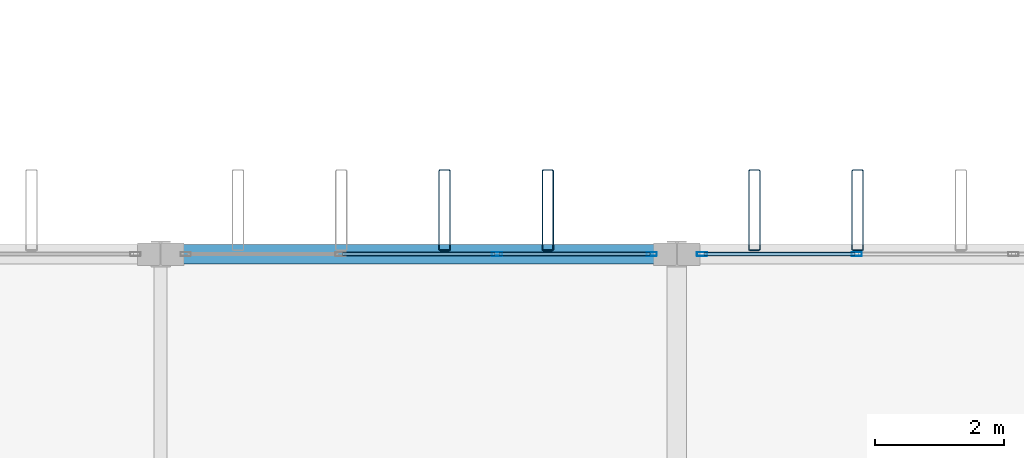
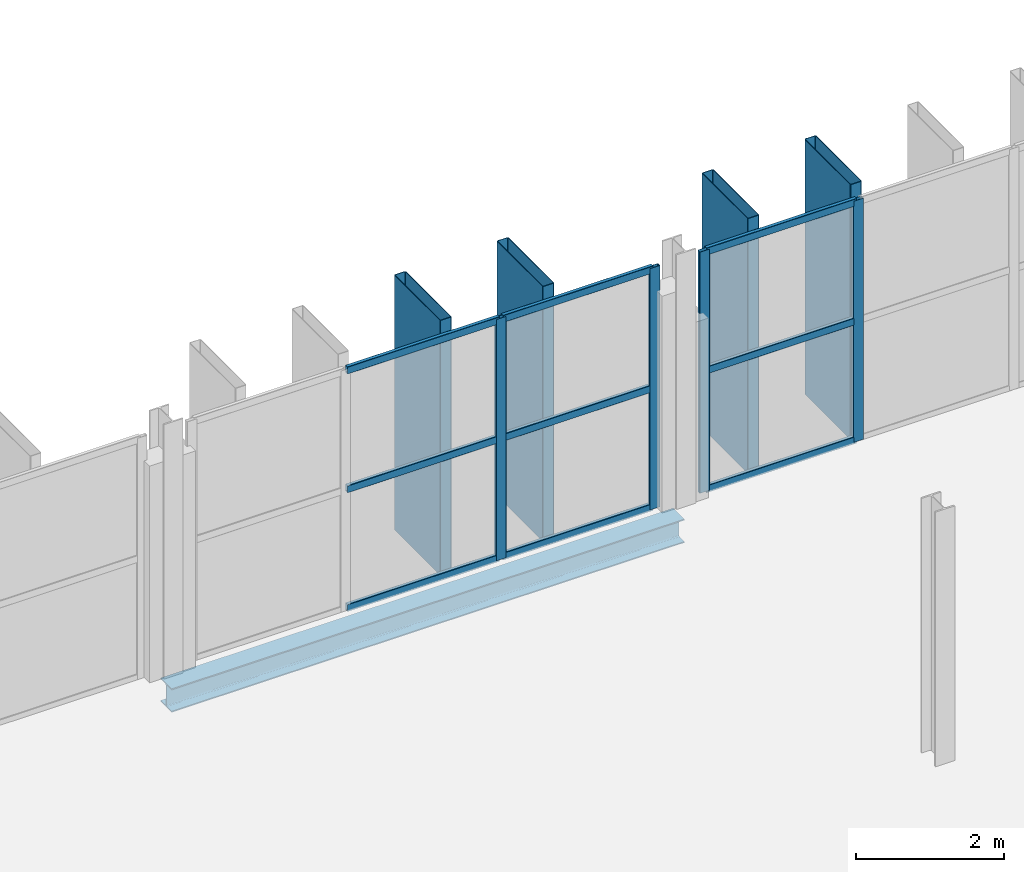
# One storey, part 48 of 101: 17 members, 1 beam, 2 elements without a shape of their own.
"""IFC4 building model written with IfcOpenShell, lengths in metres."""

from ifc_helpers import new_model, si_unit, direction, frame, origin, origin_2d, place, context, subcontext, project, spatial, hollow_rectangle, i_section, extrude, material, layer, layer_set, material_profile, profile_set, type_object, element, aggregate, save


model = new_model("IFC4")

# Units and contexts
model_context = context("Model", 3, precision=1e-05, world=origin(), true_north=direction((0.0, 1.0)))
body_context = subcontext(model_context, "Body", "Model", "MODEL_VIEW")
ifc_project = project(units=[si_unit("LENGTHUNIT", "METRE"), si_unit("AREAUNIT", "SQUARE_METRE"), si_unit("VOLUMEUNIT", "CUBIC_METRE"), si_unit("PLANEANGLEUNIT", "RADIAN"), si_unit("MASSUNIT", "GRAM", prefix="KILO")], contexts=[model_context])

# Site, building, storey
site_placement = place(None, origin())
site = spatial("IfcSite", under=ifc_project, at=site_placement, CompositionType="ELEMENT")
building_placement = place(site_placement, origin())
building = spatial("IfcBuilding", under=site, at=building_placement, Name="Vekula Escarpment Museum", CompositionType="ELEMENT")
storey_placement = place(building_placement, frame((0.0, 0.0, 18.0)))
storey = spatial("IfcBuildingStorey", under=building, at=storey_placement, Name="L04", CompositionType="ELEMENT", Elevation=18.0)

# Beam
ifc_material_1 = material(Name="Steel S355", Category="steel")
ifc_material_profile_1 = material_profile(ifc_material_1, i_section(OverallWidth=0.300048828125, OverallDepth=0.389892578125, WebThickness=0.010986328125, FlangeThickness=0.01904296875, FilletRadius=0.027099609375, at=origin_2d()), Name="HEA 400")
ifc_profile_set_1 = profile_set([ifc_material_profile_1], Name="Steel S355")
beam_type = type_object("IfcBeamType", Name="BM-SPAN-HEA400", PredefinedType="SPANDREL", material=ifc_profile_set_1)
beam_placement = place(storey_placement, frame((102.0, 90.39990234375, -0.43505859375), z_axis=(1.0, 0.0, 0.0), x_axis=(0.0, 1.0, 0.0)))
element("IfcBeam", 1, at=beam_placement, inside=storey, type_object=beam_type, Name="Beam X L04 1786", PredefinedType="SPANDREL", context=body_context, shape_type="SweptSolid", body=[
    extrude(i_section(OverallWidth=0.300048828125, OverallDepth=0.389892578125, WebThickness=0.010986328125, FlangeThickness=0.01904296875, FilletRadius=0.027099609375, at=origin_2d()), origin(), (0.0, 0.0, 1.0), 8.0),
])

# Curtain wall, members
ifc_material_2 = material(Name="Aluminium thermally broken framing", Category="aluminium")
ifc_layer_1 = layer(ifc_material_2, 0.159912109375)
ifc_layer_set_1 = layer_set([ifc_layer_1], Name="Aluminium thermally broken framing")
curtain_wall_type_1 = type_object("IfcCurtainWallType", Name="CW-SYS-05", PredefinedType="NOTDEFINED", material=ifc_layer_set_1)
curtain_wall_1_placement = place(storey_placement, origin())
curtain_wall_1 = element("IfcCurtainWall", 2, at=curtain_wall_1_placement, inside=storey, type_object=curtain_wall_type_1, Name="Curtain Wall CW-L04-155", PredefinedType="NOTDEFINED")
ifc_material_3 = material(Name="Aluminium anodized mullion", Category="aluminium")
ifc_material_profile_2 = material_profile(ifc_material_3, hollow_rectangle(XDim=0.06005859375, YDim=0.159912109375, WallThickness=0.00390625, InnerFilletRadius=0.00390625, OuterFilletRadius=0.008056640625, at=origin_2d()), Name="ALU 160x60x4")
ifc_profile_set_2 = profile_set([ifc_material_profile_2], Name="Aluminium anodized mullion")
member_type_1 = type_object("IfcMemberType", Name="CW-MUL-160", PredefinedType="MULLION", material=ifc_profile_set_2)
member_1_placement = place(storey_placement, frame((112.78662109375, 90.39990234375, 0.0), z_axis=(0.0, 0.0, 1.0), x_axis=(0.0, -1.0, 0.0)))
member_1 = element("IfcMember", 3, at=member_1_placement, type_object=member_type_1, Name="CW-05 mullion 3", PredefinedType="MULLION", context=body_context, shape_type="SweptSolid", body=[
    extrude(hollow_rectangle(XDim=0.06005859375, YDim=0.159912109375, WallThickness=0.00390625, InnerFilletRadius=0.00390625, OuterFilletRadius=0.008056640625, at=origin_2d()), origin(), (0.0, 0.0, 1.0), 3.97998046875),
])
member_2_placement = place(storey_placement, frame((110.389892578125, 90.39990234375, 0.0), z_axis=(0.0, 0.0, 1.0), x_axis=(0.0, -1.0, 0.0)))
member_2 = element("IfcMember", 4, at=member_2_placement, type_object=member_type_1, Name="CW-05 mullion 4", PredefinedType="MULLION", context=body_context, shape_type="SweptSolid", body=[
    extrude(hollow_rectangle(XDim=0.06005859375, YDim=0.159912109375, WallThickness=0.00390625, InnerFilletRadius=0.00390625, OuterFilletRadius=0.008056640625, at=origin_2d()), origin(), (0.0, 0.0, 1.0), 3.97998046875),
])

ifc_material_4 = material(Name="Aluminium thermally broken framing", Category="aluminium")
ifc_layer_2 = layer(ifc_material_4, 0.139892578125)
ifc_layer_set_2 = layer_set([ifc_layer_2], Name="Aluminium thermally broken framing")
curtain_wall_type_2 = type_object("IfcCurtainWallType", Name="CW-SYS-06", PredefinedType="NOTDEFINED", material=ifc_layer_set_2)
curtain_wall_2_placement = place(storey_placement, origin())
curtain_wall_2 = element("IfcCurtainWall", 5, at=curtain_wall_2_placement, inside=storey, type_object=curtain_wall_type_2, Name="Curtain Wall CW-L04-156", PredefinedType="NOTDEFINED")
member_3_placement = place(storey_placement, frame((109.610107421875, 90.39990234375, 0.0), z_axis=(0.0, 0.0, 1.0), x_axis=(0.0, -1.0, 0.0)))
member_3 = element("IfcMember", 6, at=member_3_placement, type_object=member_type_1, Name="CW-06 mullion 1", PredefinedType="MULLION", context=body_context, shape_type="SweptSolid", body=[
    extrude(hollow_rectangle(XDim=0.06005859375, YDim=0.159912109375, WallThickness=0.00390625, InnerFilletRadius=0.00390625, OuterFilletRadius=0.008056640625, at=origin_2d()), origin(), (0.0, 0.0, 1.0), 3.97998046875),
])
member_4_placement = place(storey_placement, frame((107.21337890625, 90.39990234375, 0.0), z_axis=(0.0, 0.0, 1.0), x_axis=(0.0, -1.0, 0.0)))
member_4 = element("IfcMember", 7, at=member_4_placement, type_object=member_type_1, Name="CW-06 mullion 2", PredefinedType="MULLION", context=body_context, shape_type="SweptSolid", body=[
    extrude(hollow_rectangle(XDim=0.06005859375, YDim=0.159912109375, WallThickness=0.00390625, InnerFilletRadius=0.00390625, OuterFilletRadius=0.008056640625, at=origin_2d()), origin(), (0.0, 0.0, 1.0), 3.97998046875),
])

# Member
ifc_material_5 = material(Name="Aluminium anodized transom", Category="aluminium")
ifc_material_profile_3 = material_profile(ifc_material_5, hollow_rectangle(XDim=0.06005859375, YDim=0.1201171875, WallThickness=0.00390625, InnerFilletRadius=0.00390625, OuterFilletRadius=0.008056640625, at=origin_2d()), Name="ALU 120x60x4")
ifc_profile_set_3 = profile_set([ifc_material_profile_3], Name="Aluminium anodized transom")
member_type_2 = type_object("IfcMemberType", Name="CW-TRN-120", PredefinedType="USERDEFINED", material=ifc_profile_set_3)
member_5_placement = place(storey_placement, frame((112.756591796875, 90.39990234375, 0.030029296875), z_axis=(-1.0, 0.0, 0.0), x_axis=(0.0, -1.0, 0.0)))
member_5 = element("IfcMember", 8, at=member_5_placement, type_object=member_type_2, Name="CW-05 transom 3.1", ObjectType="TRANSOM", PredefinedType="USERDEFINED", context=body_context, shape_type="SweptSolid", body=[
    extrude(hollow_rectangle(XDim=0.06005859375, YDim=0.1201171875, WallThickness=0.00390625, InnerFilletRadius=0.00390625, OuterFilletRadius=0.008056640625, at=origin_2d()), origin(), (0.0, 0.0, 1.0), 2.336669921875),
])

member_6_placement = place(storey_placement, frame((112.756591796875, 90.39990234375, 1.989990234375), z_axis=(-1.0, 0.0, 0.0), x_axis=(0.0, -1.0, 0.0)))
member_6 = element("IfcMember", 9, at=member_6_placement, type_object=member_type_2, Name="CW-05 transom 3.2", ObjectType="TRANSOM", PredefinedType="USERDEFINED", context=body_context, shape_type="SweptSolid", body=[
    extrude(hollow_rectangle(XDim=0.06005859375, YDim=0.1201171875, WallThickness=0.00390625, InnerFilletRadius=0.00390625, OuterFilletRadius=0.008056640625, at=origin_2d()), origin(), (0.0, 0.0, 1.0), 2.336669921875),
])

member_7_placement = place(storey_placement, frame((112.756591796875, 90.39990234375, 3.949951171875), z_axis=(-1.0, 0.0, 0.0), x_axis=(0.0, -1.0, 0.0)))
member_7 = element("IfcMember", 10, at=member_7_placement, type_object=member_type_2, Name="CW-05 transom 3.3", ObjectType="TRANSOM", PredefinedType="USERDEFINED", context=body_context, shape_type="SweptSolid", body=[
    extrude(hollow_rectangle(XDim=0.06005859375, YDim=0.1201171875, WallThickness=0.00390625, InnerFilletRadius=0.00390625, OuterFilletRadius=0.008056640625, at=origin_2d()), origin(), (0.0, 0.0, 1.0), 2.336669921875),
])

aggregate(curtain_wall_1, [member_1, member_2, member_5, member_6, member_7])

member_8_placement = place(storey_placement, frame((109.580078125, 90.39990234375, 0.030029296875), z_axis=(-1.0, 0.0, 0.0), x_axis=(0.0, -1.0, 0.0)))
member_8 = element("IfcMember", 11, at=member_8_placement, type_object=member_type_2, Name="CW-06 transom 1.1", ObjectType="TRANSOM", PredefinedType="USERDEFINED", context=body_context, shape_type="SweptSolid", body=[
    extrude(hollow_rectangle(XDim=0.06005859375, YDim=0.1201171875, WallThickness=0.00390625, InnerFilletRadius=0.00390625, OuterFilletRadius=0.008056640625, at=origin_2d()), origin(), (0.0, 0.0, 1.0), 2.336669921875),
])

member_9_placement = place(storey_placement, frame((109.580078125, 90.39990234375, 1.989990234375), z_axis=(-1.0, 0.0, 0.0), x_axis=(0.0, -1.0, 0.0)))
member_9 = element("IfcMember", 12, at=member_9_placement, type_object=member_type_2, Name="CW-06 transom 1.2", ObjectType="TRANSOM", PredefinedType="USERDEFINED", context=body_context, shape_type="SweptSolid", body=[
    extrude(hollow_rectangle(XDim=0.06005859375, YDim=0.1201171875, WallThickness=0.00390625, InnerFilletRadius=0.00390625, OuterFilletRadius=0.008056640625, at=origin_2d()), origin(), (0.0, 0.0, 1.0), 2.336669921875),
])

member_10_placement = place(storey_placement, frame((109.580078125, 90.39990234375, 3.949951171875), z_axis=(-1.0, 0.0, 0.0), x_axis=(0.0, -1.0, 0.0)))
member_10 = element("IfcMember", 13, at=member_10_placement, type_object=member_type_2, Name="CW-06 transom 1.3", ObjectType="TRANSOM", PredefinedType="USERDEFINED", context=body_context, shape_type="SweptSolid", body=[
    extrude(hollow_rectangle(XDim=0.06005859375, YDim=0.1201171875, WallThickness=0.00390625, InnerFilletRadius=0.00390625, OuterFilletRadius=0.008056640625, at=origin_2d()), origin(), (0.0, 0.0, 1.0), 2.336669921875),
])

member_11_placement = place(storey_placement, frame((107.183349609375, 90.39990234375, 0.030029296875), z_axis=(-1.0, 0.0, 0.0), x_axis=(0.0, -1.0, 0.0)))
member_11 = element("IfcMember", 14, at=member_11_placement, type_object=member_type_2, Name="CW-06 transom 2.1", ObjectType="TRANSOM", PredefinedType="USERDEFINED", context=body_context, shape_type="SweptSolid", body=[
    extrude(hollow_rectangle(XDim=0.06005859375, YDim=0.1201171875, WallThickness=0.00390625, InnerFilletRadius=0.00390625, OuterFilletRadius=0.008056640625, at=origin_2d()), origin(), (0.0, 0.0, 1.0), 2.36669921875),
])

member_12_placement = place(storey_placement, frame((107.183349609375, 90.39990234375, 1.989990234375), z_axis=(-1.0, 0.0, 0.0), x_axis=(0.0, -1.0, 0.0)))
member_12 = element("IfcMember", 15, at=member_12_placement, type_object=member_type_2, Name="CW-06 transom 2.2", ObjectType="TRANSOM", PredefinedType="USERDEFINED", context=body_context, shape_type="SweptSolid", body=[
    extrude(hollow_rectangle(XDim=0.06005859375, YDim=0.1201171875, WallThickness=0.00390625, InnerFilletRadius=0.00390625, OuterFilletRadius=0.008056640625, at=origin_2d()), origin(), (0.0, 0.0, 1.0), 2.36669921875),
])

member_13_placement = place(storey_placement, frame((107.183349609375, 90.39990234375, 3.949951171875), z_axis=(-1.0, 0.0, 0.0), x_axis=(0.0, -1.0, 0.0)))
member_13 = element("IfcMember", 16, at=member_13_placement, type_object=member_type_2, Name="CW-06 transom 2.3", ObjectType="TRANSOM", PredefinedType="USERDEFINED", context=body_context, shape_type="SweptSolid", body=[
    extrude(hollow_rectangle(XDim=0.06005859375, YDim=0.1201171875, WallThickness=0.00390625, InnerFilletRadius=0.00390625, OuterFilletRadius=0.008056640625, at=origin_2d()), origin(), (0.0, 0.0, 1.0), 2.36669921875),
])

aggregate(curtain_wall_2, [member_3, member_4, member_8, member_9, member_10, member_11, member_12, member_13])

# Members
ifc_material_6 = material(Name="Steel S355 weathered bronze solar fin", Category="steel")
ifc_material_profile_4 = material_profile(ifc_material_6, hollow_rectangle(XDim=0.179931640625, YDim=1.25, WallThickness=0.010009765625, InnerFilletRadius=0.010009765625, OuterFilletRadius=0.02001953125, at=origin_2d()), Name="RHS 1250x180x10")
ifc_profile_set_4 = profile_set([ifc_material_profile_4], Name="Steel S355 weathered bronze solar fin")
member_type_3 = type_object("IfcMemberType", Name="MB-SOLAR-FIN", PredefinedType="USERDEFINED", material=ifc_profile_set_4)
for number, where, z_axis, x_axis, name in (
    (17, (106.39990234375, 91.080078125, 0.0), (0.0, 0.0, 1.0), (1.0, 0.0, 0.0), "Great Hall Vertical Solar Fin 0229"),
    (18, (108.0, 91.080078125, 0.0), (0.0, 0.0, 1.0), (1.0, 0.0, 0.0), "Great Hall Vertical Solar Fin 0234"),
    (19, (111.199951171875, 91.080078125, 0.0), (0.0, 0.0, 1.0), (1.0, 0.0, 0.0), "Great Hall Vertical Solar Fin 0239"),
    (20, (112.800048828125, 91.080078125, 0.0), (0.0, 0.0, 1.0), (1.0, 0.0, 0.0), "Great Hall Vertical Solar Fin 0244"),
):
    element("IfcMember", number, at=place(storey_placement, frame(where, z_axis=z_axis, x_axis=x_axis)), inside=storey, type_object=member_type_3, Name=name, ObjectType="SOLAR FIN", PredefinedType="USERDEFINED", context=body_context, shape_type="SweptSolid", body=[
        extrude(hollow_rectangle(XDim=0.179931640625, YDim=1.25, WallThickness=0.010009765625, InnerFilletRadius=0.010009765625, OuterFilletRadius=0.02001953125, at=origin_2d()), origin(), (0.0, 0.0, 1.0), 4.199951171875),
    ])

save(model, "model.ifc")
